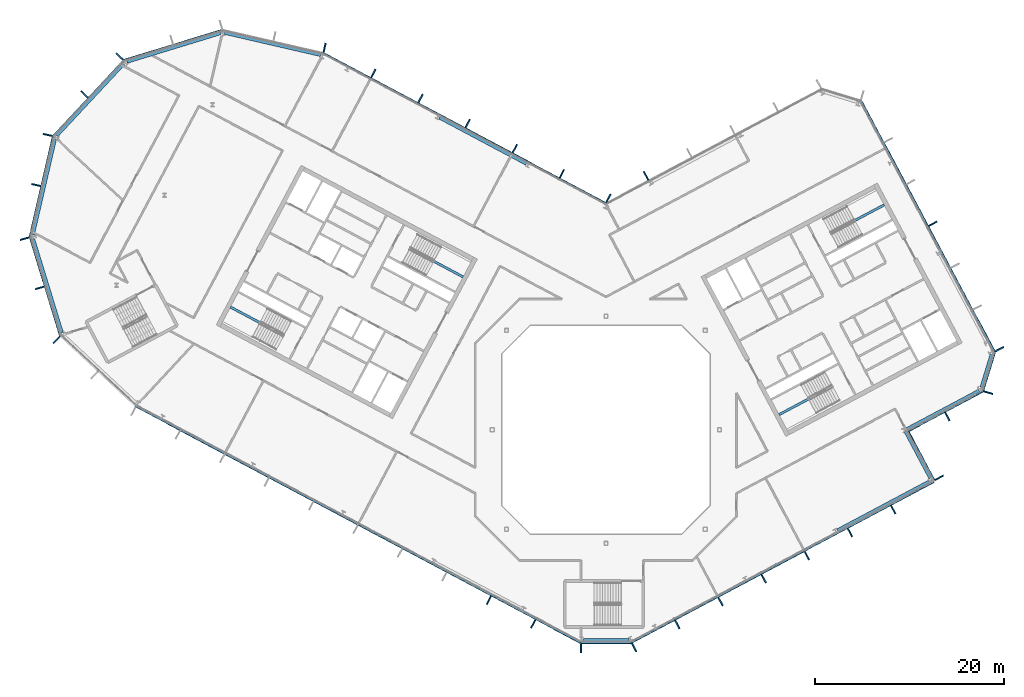
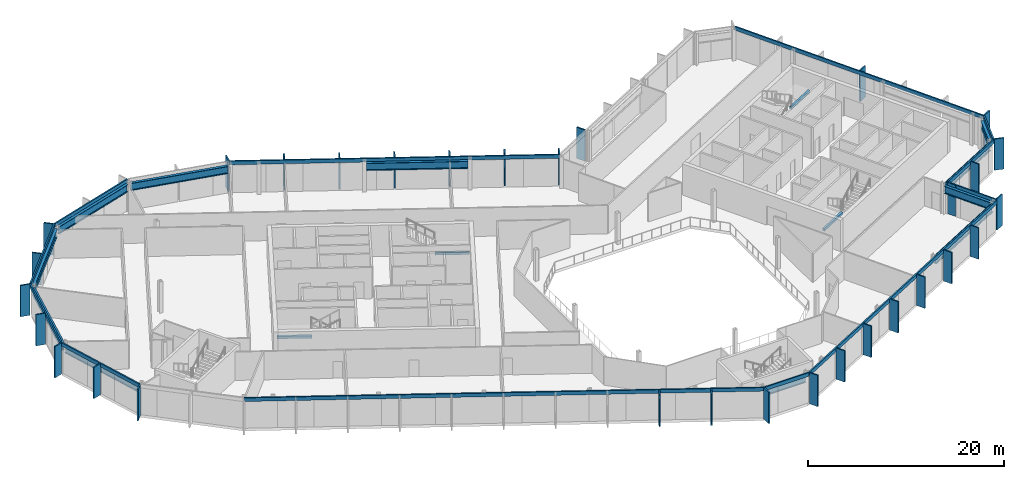
# One storey, part 9 of 26: 43 members, 15 beams, 15 elements without a shape of their own.
"""IFC4 building model written with IfcOpenShell, lengths in metres."""

from ifc_helpers import new_model, si_unit, direction, frame, origin, origin_2d, place, context, subcontext, project, spatial, rectangle, i_section, extrude, material, layer, layer_set, material_profile, profile_set, type_object, element, aggregate, save


model = new_model("IFC4")

# Units and contexts
model_context = context("Model", 3, precision=1e-05, world=origin(), true_north=direction((0.0, 1.0)))
body_context = subcontext(model_context, "Body", "Model", "MODEL_VIEW")
ifc_project = project(units=[si_unit("LENGTHUNIT", "METRE"), si_unit("AREAUNIT", "SQUARE_METRE"), si_unit("VOLUMEUNIT", "CUBIC_METRE"), si_unit("PLANEANGLEUNIT", "RADIAN"), si_unit("MASSUNIT", "GRAM", prefix="KILO")], contexts=[model_context])

# Site, building, storey
site_placement = place(None, origin())
site = spatial("IfcSite", under=ifc_project, at=site_placement, CompositionType="ELEMENT")
building_placement = place(site_placement, origin())
building = spatial("IfcBuilding", under=site, at=building_placement, Name="Cormorant Relay Tower", CompositionType="ELEMENT")
storey_placement = place(building_placement, frame((0.0, 0.0, 304.800048828125)))
storey = spatial("IfcBuildingStorey", under=building, at=storey_placement, Name="L69", CompositionType="ELEMENT", Elevation=304.800048828125)

# Curtain wall, member
ifc_material_1 = material(Name="Aluminium 6063-T6 anodised bronze", Category="aluminium")
ifc_layer = layer(ifc_material_1, 0.199951171875)
ifc_layer_set = layer_set([ifc_layer], Name="CW1 unitised bronze curtain wall with vertical fins")
curtain_wall_type = type_object("IfcCurtainWallType", Name="CW1 unitised bronze curtain wall with vertical fins", PredefinedType="NOTDEFINED", material=ifc_layer_set)
curtain_wall_1_placement = place(storey_placement, origin())
curtain_wall_1 = element("IfcCurtainWall", 1, at=curtain_wall_1_placement, inside=storey, type_object=curtain_wall_type, Name="CW1 curtain wall 1", PredefinedType="NOTDEFINED")
ifc_material_2 = material(Name="Aluminium 6063-T6 anodised bronze", Category="aluminium")
ifc_material_profile_1 = material_profile(ifc_material_2, rectangle(XDim=0.14990234375, YDim=1.0, at=origin_2d()), Name="AL 150x1000")
ifc_profile_set_1 = profile_set([ifc_material_profile_1], Name="Aluminium 6063-T6 anodised bronze")
member_type_1 = type_object("IfcMemberType", Name="CW1 bronze fin mullion 150 x 1000", PredefinedType="MULLION", material=ifc_profile_set_1)
member_1_placement = place(storey_placement, frame((-2.648681640625, -23.07568359375, 0.0), z_axis=(0.0, 0.0, 1.0), x_axis=(1.0, 0.0, 0.0)))
member_1 = element("IfcMember", 2, at=member_1_placement, type_object=member_type_1, Name="CW1 fin 1.1", PredefinedType="MULLION", context=body_context, shape_type="SweptSolid", body=[
    extrude(rectangle(XDim=0.14990234375, YDim=1.0, at=origin_2d()), origin(), (0.0, 0.0, 1.0), 3.89990234375),
])

# Curtain wall, members
curtain_wall_2_placement = place(storey_placement, origin())
curtain_wall_2 = element("IfcCurtainWall", 3, at=curtain_wall_2_placement, inside=storey, type_object=curtain_wall_type, Name="CW1 curtain wall 2", PredefinedType="NOTDEFINED")
member_2_placement = place(storey_placement, frame((2.9775390625, -22.99365234375, 0.0), z_axis=(0.0, 0.0, 1.0), x_axis=(0.882947592859, 0.469471562786, 0.0)))
member_2 = element("IfcMember", 4, at=member_2_placement, type_object=member_type_1, Name="CW1 fin 2.1", PredefinedType="MULLION", context=body_context, shape_type="SweptSolid", body=[
    extrude(rectangle(XDim=0.14990234375, YDim=1.0, at=origin_2d()), origin(), (0.0, 0.0, 1.0), 3.89990234375),
])
member_3_placement = place(storey_placement, frame((7.539306640625, -20.568115234375, 0.0), z_axis=(0.0, 0.0, 1.0), x_axis=(0.882947592859, 0.469471562786, 0.0)))
member_3 = element("IfcMember", 5, at=member_3_placement, type_object=member_type_1, Name="CW1 fin 2.2", PredefinedType="MULLION", context=body_context, shape_type="SweptSolid", body=[
    extrude(rectangle(XDim=0.14990234375, YDim=1.0, at=origin_2d()), origin(), (0.0, 0.0, 1.0), 3.89990234375),
])
member_4_placement = place(storey_placement, frame((12.10107421875, -18.142578125, 0.0), z_axis=(0.0, 0.0, 1.0), x_axis=(0.882947592859, 0.469471562786, 0.0)))
member_4 = element("IfcMember", 6, at=member_4_placement, type_object=member_type_1, Name="CW1 fin 2.3", PredefinedType="MULLION", context=body_context, shape_type="SweptSolid", body=[
    extrude(rectangle(XDim=0.14990234375, YDim=1.0, at=origin_2d()), origin(), (0.0, 0.0, 1.0), 3.89990234375),
])
member_5_placement = place(storey_placement, frame((16.662841796875, -15.717041015625, 0.0), z_axis=(0.0, 0.0, 1.0), x_axis=(0.882947592859, 0.469471562786, 0.0)))
member_5 = element("IfcMember", 7, at=member_5_placement, type_object=member_type_1, Name="CW1 fin 2.4", PredefinedType="MULLION", context=body_context, shape_type="SweptSolid", body=[
    extrude(rectangle(XDim=0.14990234375, YDim=1.0, at=origin_2d()), origin(), (0.0, 0.0, 1.0), 3.89990234375),
])
member_6_placement = place(storey_placement, frame((21.224609375, -13.29150390625, 0.0), z_axis=(0.0, 0.0, 1.0), x_axis=(0.882947592859, 0.469471562786, 0.0)))
member_6 = element("IfcMember", 8, at=member_6_placement, type_object=member_type_1, Name="CW1 fin 2.5", PredefinedType="MULLION", context=body_context, shape_type="SweptSolid", body=[
    extrude(rectangle(XDim=0.14990234375, YDim=1.0, at=origin_2d()), origin(), (0.0, 0.0, 1.0), 3.89990234375),
])
member_7_placement = place(storey_placement, frame((25.78662109375, -10.865966796875, 0.0), z_axis=(0.0, 0.0, 1.0), x_axis=(0.882947592859, 0.469471562786, 0.0)))
member_7 = element("IfcMember", 9, at=member_7_placement, type_object=member_type_1, Name="CW1 fin 2.6", PredefinedType="MULLION", context=body_context, shape_type="SweptSolid", body=[
    extrude(rectangle(XDim=0.14990234375, YDim=1.0, at=origin_2d()), origin(), (0.0, 0.0, 1.0), 3.89990234375),
])
member_8_placement = place(storey_placement, frame((30.348388671875, -8.440185546875, 0.0), z_axis=(0.0, 0.0, 1.0), x_axis=(0.882947592859, 0.469471562786, 0.0)))
member_8 = element("IfcMember", 10, at=member_8_placement, type_object=member_type_1, Name="CW1 fin 2.7", PredefinedType="MULLION", context=body_context, shape_type="SweptSolid", body=[
    extrude(rectangle(XDim=0.14990234375, YDim=1.0, at=origin_2d()), origin(), (0.0, 0.0, 1.0), 3.89990234375),
])

# Curtain wall, member
curtain_wall_3_placement = place(storey_placement, origin())
curtain_wall_3 = element("IfcCurtainWall", 11, at=curtain_wall_3_placement, inside=storey, type_object=curtain_wall_type, Name="CW1 curtain wall 3", PredefinedType="NOTDEFINED")
member_9_placement = place(storey_placement, frame((35.199462890625, -5.068115234375, 0.0), z_axis=(0.0, 0.0, 1.0), x_axis=(-0.469471562786, 0.882947592859, 0.0)))
member_9 = element("IfcMember", 12, at=member_9_placement, type_object=member_type_1, Name="CW1 fin 3.1", PredefinedType="MULLION", context=body_context, shape_type="SweptSolid", body=[
    extrude(rectangle(XDim=0.14990234375, YDim=1.0, at=origin_2d()), origin(), (0.0, 0.0, 1.0), 3.89990234375),
])

# Curtain wall, members
curtain_wall_4_placement = place(storey_placement, origin())
curtain_wall_4 = element("IfcCurtainWall", 13, at=curtain_wall_4_placement, inside=storey, type_object=curtain_wall_type, Name="CW1 curtain wall 4", PredefinedType="NOTDEFINED")
member_10_placement = place(storey_placement, frame((32.159423828125, -0.681884765625, 0.0), z_axis=(0.0, 0.0, 1.0), x_axis=(0.882947592859, 0.469471562786, 0.0)))
member_10 = element("IfcMember", 14, at=member_10_placement, type_object=member_type_1, Name="CW1 fin 4.1", PredefinedType="MULLION", context=body_context, shape_type="SweptSolid", body=[
    extrude(rectangle(XDim=0.14990234375, YDim=1.0, at=origin_2d()), origin(), (0.0, 0.0, 1.0), 3.89990234375),
])
member_11_placement = place(storey_placement, frame((36.06640625, 1.3955078125, 0.0), z_axis=(0.0, 0.0, 1.0), x_axis=(0.882947592859, 0.469471562786, 0.0)))
member_11 = element("IfcMember", 15, at=member_11_placement, type_object=member_type_1, Name="CW1 fin 4.2", PredefinedType="MULLION", context=body_context, shape_type="SweptSolid", body=[
    extrude(rectangle(XDim=0.14990234375, YDim=1.0, at=origin_2d()), origin(), (0.0, 0.0, 1.0), 3.89990234375),
])

# Curtain wall, member
curtain_wall_5_placement = place(storey_placement, origin())
curtain_wall_5 = element("IfcCurtainWall", 16, at=curtain_wall_5_placement, inside=storey, type_object=curtain_wall_type, Name="CW1 curtain wall 5", PredefinedType="NOTDEFINED")
member_12_placement = place(storey_placement, frame((40.380615234375, 3.921630859375, 0.0), z_axis=(0.0, 0.0, 1.0), x_axis=(0.292371704723, 0.956304755963, 0.0)))
member_12 = element("IfcMember", 17, at=member_12_placement, type_object=member_type_1, Name="CW1 fin 5.1", PredefinedType="MULLION", context=body_context, shape_type="SweptSolid", body=[
    extrude(rectangle(XDim=0.14990234375, YDim=1.0, at=origin_2d()), origin(), (0.0, 0.0, 1.0), 3.89990234375),
])

# Curtain wall, members
curtain_wall_6_placement = place(storey_placement, origin())
curtain_wall_6 = element("IfcCurtainWall", 18, at=curtain_wall_6_placement, inside=storey, type_object=curtain_wall_type, Name="CW1 curtain wall 6", PredefinedType="NOTDEFINED")
member_13_placement = place(storey_placement, frame((41.569580078125, 8.51220703125, 0.0), z_axis=(0.0, 0.0, 1.0), x_axis=(-0.469471562786, 0.882947592859, 0.0)))
member_13 = element("IfcMember", 19, at=member_13_placement, type_object=member_type_1, Name="CW1 fin 6.1", PredefinedType="MULLION", context=body_context, shape_type="SweptSolid", body=[
    extrude(rectangle(XDim=0.14990234375, YDim=1.0, at=origin_2d()), origin(), (0.0, 0.0, 1.0), 3.89990234375),
])
member_14_placement = place(storey_placement, frame((34.527587890625, 21.75634765625, 0.0), z_axis=(0.0, 0.0, 1.0), x_axis=(-0.469471562786, 0.882947592859, 0.0)))
member_14 = element("IfcMember", 20, at=member_14_placement, type_object=member_type_1, Name="CW1 fin 6.4", PredefinedType="MULLION", context=body_context, shape_type="SweptSolid", body=[
    extrude(rectangle(XDim=0.14990234375, YDim=1.0, at=origin_2d()), origin(), (0.0, 0.0, 1.0), 3.89990234375),
])

# Curtain wall, member
curtain_wall_7_placement = place(storey_placement, origin())
curtain_wall_7 = element("IfcCurtainWall", 21, at=curtain_wall_7_placement, inside=storey, type_object=curtain_wall_type, Name="CW1 curtain wall 8", PredefinedType="NOTDEFINED")
member_15_placement = place(storey_placement, frame((4.2333984375, 26.82763671875, 0.0), z_axis=(0.0, 0.0, 1.0), x_axis=(-0.882947592859, -0.469471562786, 0.0)))
member_15 = element("IfcMember", 22, at=member_15_placement, type_object=member_type_1, Name="CW1 fin 8.5", PredefinedType="MULLION", context=body_context, shape_type="SweptSolid", body=[
    extrude(rectangle(XDim=0.14990234375, YDim=1.0, at=origin_2d()), origin(), (0.0, 0.0, 1.0), 3.89990234375),
])
aggregate(curtain_wall_7, [member_15])

# Curtain wall, members
curtain_wall_8_placement = place(storey_placement, origin())
curtain_wall_8 = element("IfcCurtainWall", 23, at=curtain_wall_8_placement, inside=storey, type_object=curtain_wall_type, Name="CW1 curtain wall 9", PredefinedType="NOTDEFINED")
member_16_placement = place(storey_placement, frame((0.262451171875, 24.437255859375, 0.0), z_axis=(0.0, 0.0, 1.0), x_axis=(-0.882947592859, 0.469471562786, 0.0)))
member_16 = element("IfcMember", 24, at=member_16_placement, type_object=member_type_1, Name="CW1 fin 9.1", PredefinedType="MULLION", context=body_context, shape_type="SweptSolid", body=[
    extrude(rectangle(XDim=0.14990234375, YDim=1.0, at=origin_2d()), origin(), (0.0, 0.0, 1.0), 3.89990234375),
])
member_17_placement = place(storey_placement, frame((-4.650390625, 27.04931640625, 0.0), z_axis=(0.0, 0.0, 1.0), x_axis=(-0.882947592859, 0.469471562786, 0.0)))
member_17 = element("IfcMember", 25, at=member_17_placement, type_object=member_type_1, Name="CW1 fin 9.2", PredefinedType="MULLION", context=body_context, shape_type="SweptSolid", body=[
    extrude(rectangle(XDim=0.14990234375, YDim=1.0, at=origin_2d()), origin(), (0.0, 0.0, 1.0), 3.89990234375),
])
member_18_placement = place(storey_placement, frame((-9.62939453125, 29.69677734375, 0.0), z_axis=(0.0, 0.0, 1.0), x_axis=(-0.882947592859, 0.469471562786, 0.0)))
member_18 = element("IfcMember", 26, at=member_18_placement, type_object=member_type_1, Name="CW1 fin 9.3", PredefinedType="MULLION", context=body_context, shape_type="SweptSolid", body=[
    extrude(rectangle(XDim=0.14990234375, YDim=1.0, at=origin_2d()), origin(), (0.0, 0.0, 1.0), 3.89990234375),
])
member_19_placement = place(storey_placement, frame((-14.608154296875, 32.343994140625, 0.0), z_axis=(0.0, 0.0, 1.0), x_axis=(-0.882947592859, 0.469471562786, 0.0)))
member_19 = element("IfcMember", 27, at=member_19_placement, type_object=member_type_1, Name="CW1 fin 9.4", PredefinedType="MULLION", context=body_context, shape_type="SweptSolid", body=[
    extrude(rectangle(XDim=0.14990234375, YDim=1.0, at=origin_2d()), origin(), (0.0, 0.0, 1.0), 3.89990234375),
])
member_20_placement = place(storey_placement, frame((-19.587158203125, 34.991455078125, 0.0), z_axis=(0.0, 0.0, 1.0), x_axis=(-0.882947592859, 0.469471562786, 0.0)))
member_20 = element("IfcMember", 28, at=member_20_placement, type_object=member_type_1, Name="CW1 fin 9.5", PredefinedType="MULLION", context=body_context, shape_type="SweptSolid", body=[
    extrude(rectangle(XDim=0.14990234375, YDim=1.0, at=origin_2d()), origin(), (0.0, 0.0, 1.0), 3.89990234375),
])
member_21_placement = place(storey_placement, frame((-24.566162109375, 37.638916015625, 0.0), z_axis=(0.0, 0.0, 1.0), x_axis=(-0.882947592859, 0.469471562786, 0.0)))
member_21 = element("IfcMember", 29, at=member_21_placement, type_object=member_type_1, Name="CW1 fin 9.6", PredefinedType="MULLION", context=body_context, shape_type="SweptSolid", body=[
    extrude(rectangle(XDim=0.14990234375, YDim=1.0, at=origin_2d()), origin(), (0.0, 0.0, 1.0), 3.89990234375),
])

# Curtain wall, member
curtain_wall_9_placement = place(storey_placement, origin())
curtain_wall_9 = element("IfcCurtainWall", 30, at=curtain_wall_9_placement, inside=storey, type_object=curtain_wall_type, Name="CW1 curtain wall 10", PredefinedType="NOTDEFINED")
member_22_placement = place(storey_placement, frame((-29.71630859375, 40.35009765625, 0.0), z_axis=(0.0, 0.0, 1.0), x_axis=(-0.974370064785, 0.224951054344, 0.0)))
member_22 = element("IfcMember", 31, at=member_22_placement, type_object=member_type_1, Name="CW1 fin 10.1", PredefinedType="MULLION", context=body_context, shape_type="SweptSolid", body=[
    extrude(rectangle(XDim=0.14990234375, YDim=1.0, at=origin_2d()), origin(), (0.0, 0.0, 1.0), 3.89990234375),
])
aggregate(curtain_wall_9, [member_22])

# Curtain wall, members
curtain_wall_10_placement = place(storey_placement, origin())
curtain_wall_10 = element("IfcCurtainWall", 32, at=curtain_wall_10_placement, inside=storey, type_object=curtain_wall_type, Name="CW1 curtain wall 12", PredefinedType="NOTDEFINED")
member_23_placement = place(storey_placement, frame((-51.372802734375, 39.41259765625, 0.0), z_axis=(0.0, 0.0, 1.0), x_axis=(-0.681998360062, -0.731353701619, 0.0)))
member_23 = element("IfcMember", 33, at=member_23_placement, type_object=member_type_1, Name="CW1 fin 12.1", PredefinedType="MULLION", context=body_context, shape_type="SweptSolid", body=[
    extrude(rectangle(XDim=0.14990234375, YDim=1.0, at=origin_2d()), origin(), (0.0, 0.0, 1.0), 3.89990234375),
])
member_24_placement = place(storey_placement, frame((-55.07958984375, 35.4375, 0.0), z_axis=(0.0, 0.0, 1.0), x_axis=(-0.681998360062, -0.731353701619, 0.0)))
member_24 = element("IfcMember", 34, at=member_24_placement, type_object=member_type_1, Name="CW1 fin 12.2", PredefinedType="MULLION", context=body_context, shape_type="SweptSolid", body=[
    extrude(rectangle(XDim=0.14990234375, YDim=1.0, at=origin_2d()), origin(), (0.0, 0.0, 1.0), 3.89990234375),
])

curtain_wall_11_placement = place(storey_placement, origin())
curtain_wall_11 = element("IfcCurtainWall", 35, at=curtain_wall_11_placement, inside=storey, type_object=curtain_wall_type, Name="CW1 curtain wall 13", PredefinedType="NOTDEFINED")
member_25_placement = place(storey_placement, frame((-58.95654296875, 31.142578125, 0.0), z_axis=(0.0, 0.0, 1.0), x_axis=(-0.224951054344, -0.974370064785, 0.0)))
member_25 = element("IfcMember", 36, at=member_25_placement, type_object=member_type_1, Name="CW1 fin 13.1", PredefinedType="MULLION", context=body_context, shape_type="SweptSolid", body=[
    extrude(rectangle(XDim=0.14990234375, YDim=1.0, at=origin_2d()), origin(), (0.0, 0.0, 1.0), 3.89990234375),
])
member_26_placement = place(storey_placement, frame((-60.17919921875, 25.8466796875, 0.0), z_axis=(0.0, 0.0, 1.0), x_axis=(-0.224951054344, -0.974370064785, 0.0)))
member_26 = element("IfcMember", 37, at=member_26_placement, type_object=member_type_1, Name="CW1 fin 13.2", PredefinedType="MULLION", context=body_context, shape_type="SweptSolid", body=[
    extrude(rectangle(XDim=0.14990234375, YDim=1.0, at=origin_2d()), origin(), (0.0, 0.0, 1.0), 3.89990234375),
])

curtain_wall_12_placement = place(storey_placement, origin())
curtain_wall_12 = element("IfcCurtainWall", 38, at=curtain_wall_12_placement, inside=storey, type_object=curtain_wall_type, Name="CW1 curtain wall 14", PredefinedType="NOTDEFINED")
member_27_placement = place(storey_placement, frame((-61.389404296875, 20.188720703125, 0.0), z_axis=(0.0, 0.0, 1.0), x_axis=(0.292371704723, -0.956304755963, 0.0)))
member_27 = element("IfcMember", 39, at=member_27_placement, type_object=member_type_1, Name="CW1 fin 14.1", PredefinedType="MULLION", context=body_context, shape_type="SweptSolid", body=[
    extrude(rectangle(XDim=0.14990234375, YDim=1.0, at=origin_2d()), origin(), (0.0, 0.0, 1.0), 3.89990234375),
])
member_28_placement = place(storey_placement, frame((-59.80029296875, 14.990966796875, 0.0), z_axis=(0.0, 0.0, 1.0), x_axis=(0.292371704723, -0.956304755963, 0.0)))
member_28 = element("IfcMember", 40, at=member_28_placement, type_object=member_type_1, Name="CW1 fin 14.2", PredefinedType="MULLION", context=body_context, shape_type="SweptSolid", body=[
    extrude(rectangle(XDim=0.14990234375, YDim=1.0, at=origin_2d()), origin(), (0.0, 0.0, 1.0), 3.89990234375),
])

# Curtain wall, member
curtain_wall_13_placement = place(storey_placement, origin())
curtain_wall_13 = element("IfcCurtainWall", 41, at=curtain_wall_13_placement, inside=storey, type_object=curtain_wall_type, Name="CW1 curtain wall 15", PredefinedType="NOTDEFINED")
member_29_placement = place(storey_placement, frame((-58.01904296875, 9.486083984375, 0.0), z_axis=(0.0, 0.0, 1.0), x_axis=(0.731353701619, -0.681998360062, 0.0)))
member_29 = element("IfcMember", 42, at=member_29_placement, type_object=member_type_1, Name="CW1 fin 15.1", PredefinedType="MULLION", context=body_context, shape_type="SweptSolid", body=[
    extrude(rectangle(XDim=0.14990234375, YDim=1.0, at=origin_2d()), origin(), (0.0, 0.0, 1.0), 3.89990234375),
])
aggregate(curtain_wall_13, [member_29])

# Curtain wall, members
curtain_wall_14_placement = place(storey_placement, origin())
curtain_wall_14 = element("IfcCurtainWall", 43, at=curtain_wall_14_placement, inside=storey, type_object=curtain_wall_type, Name="CW1 curtain wall 16", PredefinedType="NOTDEFINED")
member_30_placement = place(storey_placement, frame((-12.365966796875, -18.001708984375, 0.0), z_axis=(0.0, 0.0, 1.0), x_axis=(0.882947592859, -0.469471562786, 0.0)))
member_30 = element("IfcMember", 44, at=member_30_placement, type_object=member_type_1, Name="CW1 fin 16.9", PredefinedType="MULLION", context=body_context, shape_type="SweptSolid", body=[
    extrude(rectangle(XDim=0.14990234375, YDim=1.0, at=origin_2d()), origin(), (0.0, 0.0, 1.0), 3.89990234375),
])
member_31_placement = place(storey_placement, frame((-7.671630859375, -20.49755859375, 0.0), z_axis=(0.0, 0.0, 1.0), x_axis=(0.882947592859, -0.469471562786, 0.0)))
member_31 = element("IfcMember", 45, at=member_31_placement, type_object=member_type_1, Name="CW1 fin 16.10", PredefinedType="MULLION", context=body_context, shape_type="SweptSolid", body=[
    extrude(rectangle(XDim=0.14990234375, YDim=1.0, at=origin_2d()), origin(), (0.0, 0.0, 1.0), 3.89990234375),
])

# Member
ifc_material_3 = material(Name="Aluminium 6063-T6 anodised bronze", Category="aluminium")
ifc_material_profile_2 = material_profile(ifc_material_3, rectangle(XDim=0.159912109375, YDim=0.449951171875, at=origin_2d()), Name="AL 160x450")
ifc_profile_set_2 = profile_set([ifc_material_profile_2], Name="Aluminium 6063-T6 anodised bronze")
member_type_2 = type_object("IfcMemberType", Name="CW1 bronze transom 160 x 450", PredefinedType="USERDEFINED", material=ifc_profile_set_2)
member_32_placement = place(storey_placement, frame((-2.648681640625, -22.49560546875, 3.675048828125), z_axis=(1.0, 0.0, 0.0), x_axis=(0.0, 1.0, 0.0)))
member_32 = element("IfcMember", 46, at=member_32_placement, type_object=member_type_2, Name="CW1 transom 1", ObjectType="TRANSOM", PredefinedType="USERDEFINED", context=body_context, shape_type="SweptSolid", body=[
    extrude(rectangle(XDim=0.159912109375, YDim=0.449951171875, at=origin_2d()), origin(), (0.0, 0.0, 1.0), 5.29736328125),
])

aggregate(curtain_wall_1, [member_1, member_32])

member_33_placement = place(storey_placement, frame((2.705078125, -22.4814453125, 3.675048828125), z_axis=(0.882948899141, 0.469469106018, 0.0), x_axis=(-0.469469106018, 0.882948899141, 0.0)))
member_33 = element("IfcMember", 47, at=member_33_placement, type_object=member_type_2, Name="CW1 transom 2", ObjectType="TRANSOM", PredefinedType="USERDEFINED", context=body_context, shape_type="SweptSolid", body=[
    extrude(rectangle(XDim=0.159912109375, YDim=0.449951171875, at=origin_2d()), origin(), (0.0, 0.0, 1.0), 36.165771484375),
])

aggregate(curtain_wall_2, [member_2, member_3, member_4, member_5, member_6, member_7, member_8, member_33])

member_34_placement = place(storey_placement, frame((34.6875, -5.34033203125, 3.675048828125), z_axis=(-0.469485426614, 0.882940221191, 0.0), x_axis=(-0.882940221191, -0.469485426614, 0.0)))
member_34 = element("IfcMember", 48, at=member_34_placement, type_object=member_type_2, Name="CW1 transom 3", ObjectType="TRANSOM", PredefinedType="USERDEFINED", context=body_context, shape_type="SweptSolid", body=[
    extrude(rectangle(XDim=0.159912109375, YDim=0.449951171875, at=origin_2d()), origin(), (0.0, 0.0, 1.0), 6.0),
])

aggregate(curtain_wall_3, [member_9, member_34])

member_35_placement = place(storey_placement, frame((31.82080078125, -0.205078125, 3.675048828125), z_axis=(0.882949189538, 0.469468559857, 0.0), x_axis=(-0.469468559857, 0.882949189538, 0.0)))
member_35 = element("IfcMember", 49, at=member_35_placement, type_object=member_type_2, Name="CW1 transom 4", ObjectType="TRANSOM", PredefinedType="USERDEFINED", context=body_context, shape_type="SweptSolid", body=[
    extrude(rectangle(XDim=0.159912109375, YDim=0.449951171875, at=origin_2d()), origin(), (0.0, 0.0, 1.0), 9.000244140625),
])

aggregate(curtain_wall_4, [member_10, member_11, member_35])

member_36_placement = place(storey_placement, frame((39.825927734375, 4.091064453125, 3.675048828125), z_axis=(0.292374957137, 0.956303761594, 0.0), x_axis=(-0.956303761594, 0.292374957137, 0.0)))
member_36 = element("IfcMember", 50, at=member_36_placement, type_object=member_type_2, Name="CW1 transom 5", ObjectType="TRANSOM", PredefinedType="USERDEFINED", context=body_context, shape_type="SweptSolid", body=[
    extrude(rectangle(XDim=0.159912109375, YDim=0.449951171875, at=origin_2d()), origin(), (0.0, 0.0, 1.0), 4.24267578125),
])

aggregate(curtain_wall_5, [member_12, member_36])

member_37_placement = place(storey_placement, frame((41.0576171875, 8.23974609375, 3.675048828125), z_axis=(-0.469472335483, 0.882947182008, 0.0), x_axis=(-0.882947182008, -0.469472335483, 0.0)))
member_37 = element("IfcMember", 51, at=member_37_placement, type_object=member_type_2, Name="CW1 transom 6", ObjectType="TRANSOM", PredefinedType="USERDEFINED", context=body_context, shape_type="SweptSolid", body=[
    extrude(rectangle(XDim=0.159912109375, YDim=0.449951171875, at=origin_2d()), origin(), (0.0, 0.0, 1.0), 30.000244140625),
])

aggregate(curtain_wall_6, [member_13, member_14, member_37])

member_38_placement = place(storey_placement, frame((0.056396484375, 23.889892578125, 3.675048828125), z_axis=(-0.882946280328, 0.46947403129, 0.0), x_axis=(-0.46947403129, -0.882946280328, 0.0)))
member_38 = element("IfcMember", 52, at=member_38_placement, type_object=member_type_2, Name="CW1 transom 9", ObjectType="TRANSOM", PredefinedType="USERDEFINED", context=body_context, shape_type="SweptSolid", body=[
    extrude(rectangle(XDim=0.159912109375, YDim=0.449951171875, at=origin_2d()), origin(), (0.0, 0.0, 1.0), 33.834228515625),
])

aggregate(curtain_wall_8, [member_16, member_17, member_18, member_19, member_20, member_21, member_38])

# Curtain wall, member
curtain_wall_15_placement = place(storey_placement, origin())
curtain_wall_15 = element("IfcCurtainWall", 53, at=curtain_wall_15_placement, inside=storey, type_object=curtain_wall_type, Name="CW1 curtain wall 11", PredefinedType="NOTDEFINED")
member_39_placement = place(storey_placement, frame((-40.50048828125, 42.228271484375, 3.675048828125), z_axis=(-0.956304833932, -0.292371449698, 0.0), x_axis=(0.292371449698, -0.956304833932, 0.0)))
member_39 = element("IfcMember", 54, at=member_39_placement, type_object=member_type_2, Name="CW1 transom 11", ObjectType="TRANSOM", PredefinedType="USERDEFINED", context=body_context, shape_type="SweptSolid", body=[
    extrude(rectangle(XDim=0.159912109375, YDim=0.449951171875, at=origin_2d()), origin(), (0.0, 0.0, 1.0), 10.87060546875),
])
aggregate(curtain_wall_15, [member_39])

# Member
member_40_placement = place(storey_placement, frame((-50.94873046875, 39.01708984375, 3.675048828125), z_axis=(-0.681993299437, -0.731358420696, 0.0), x_axis=(0.731358420696, -0.681993299437, 0.0)))
member_40 = element("IfcMember", 55, at=member_40_placement, type_object=member_type_2, Name="CW1 transom 12", ObjectType="TRANSOM", PredefinedType="USERDEFINED", context=body_context, shape_type="SweptSolid", body=[
    extrude(rectangle(XDim=0.159912109375, YDim=0.449951171875, at=origin_2d()), origin(), (0.0, 0.0, 1.0), 10.870361328125),
])

aggregate(curtain_wall_10, [member_23, member_24, member_40])

member_41_placement = place(storey_placement, frame((-58.3916015625, 31.01220703125, 3.675048828125), z_axis=(-0.22495136131, -0.974369993916, 0.0), x_axis=(0.974369993916, -0.22495136131, 0.0)))
member_41 = element("IfcMember", 56, at=member_41_placement, type_object=member_type_2, Name="CW1 transom 13", ObjectType="TRANSOM", PredefinedType="USERDEFINED", context=body_context, shape_type="SweptSolid", body=[
    extrude(rectangle(XDim=0.159912109375, YDim=0.449951171875, at=origin_2d()), origin(), (0.0, 0.0, 1.0), 10.870361328125),
])

aggregate(curtain_wall_11, [member_25, member_26, member_41])

member_42_placement = place(storey_placement, frame((-60.834716796875, 20.358154296875, 3.675048828125), z_axis=(0.292377729282, -0.95630291405, 0.0), x_axis=(0.95630291405, 0.292377729282, 0.0)))
member_42 = element("IfcMember", 57, at=member_42_placement, type_object=member_type_2, Name="CW1 transom 14", ObjectType="TRANSOM", PredefinedType="USERDEFINED", context=body_context, shape_type="SweptSolid", body=[
    extrude(rectangle(XDim=0.159912109375, YDim=0.449951171875, at=origin_2d()), origin(), (0.0, 0.0, 1.0), 10.870361328125),
])

aggregate(curtain_wall_12, [member_27, member_28, member_42])

member_43_placement = place(storey_placement, frame((-49.64794921875, 2.478515625, 3.675048828125), z_axis=(0.882947642542, -0.469471469346, 0.0), x_axis=(0.469471469346, 0.882947642542, 0.0)))
member_43 = element("IfcMember", 58, at=member_43_placement, type_object=member_type_2, Name="CW1 transom 16", ObjectType="TRANSOM", PredefinedType="USERDEFINED", context=body_context, shape_type="SweptSolid", body=[
    extrude(rectangle(XDim=0.159912109375, YDim=0.449951171875, at=origin_2d()), origin(), (0.0, 0.0, 1.0), 53.166015625),
])

aggregate(curtain_wall_14, [member_30, member_31, member_43])

# Beams
ifc_material_4 = material(Name="Steel ASTM A992 (Fy 345 MPa)", Category="steel")
ifc_material_profile_3 = material_profile(ifc_material_4, i_section(OverallWidth=0.307373046875, OverallDepth=0.927001953125, WebThickness=0.019287109375, FlangeThickness=0.031982421875, FilletRadius=0.01904296875, at=origin_2d()), Name="W920x289")
ifc_profile_set_3 = profile_set([ifc_material_profile_3], Name="Steel ASTM A992 (Fy 345 MPa)")
beam_type_1 = type_object("IfcBeamType", Name="Spandrel W920x289", PredefinedType="SPANDREL", material=ifc_profile_set_3)
beam_1_placement = place(storey_placement, frame((-2.377197265625, -22.221923828125, 3.076416015625), z_axis=(1.0, 0.0, 0.0), x_axis=(0.0, 1.0, 0.0)))
element("IfcBeam", 59, at=beam_1_placement, inside=storey, type_object=beam_type_1, Name="Spandrel beam L69-001", PredefinedType="SPANDREL", context=body_context, shape_type="SweptSolid", body=[
    extrude(i_section(OverallWidth=0.307373046875, OverallDepth=0.927001953125, WebThickness=0.019287109375, FlangeThickness=0.031982421875, FilletRadius=0.01904296875, at=origin_2d()), origin(), (0.0, 0.0, 1.0), 4.79541015625),
])
beam_2_placement = place(storey_placement, frame((24.44287109375, -10.61328125, 3.076416015625), z_axis=(0.882957797597, 0.469452369961, 0.0), x_axis=(-0.469452369961, 0.882957797597, 0.0)))
element("IfcBeam", 60, at=beam_2_placement, inside=storey, type_object=beam_type_1, Name="Spandrel beam L69-002", PredefinedType="SPANDREL", context=body_context, shape_type="SweptSolid", body=[
    extrude(i_section(OverallWidth=0.307373046875, OverallDepth=0.927001953125, WebThickness=0.019287109375, FlangeThickness=0.031982421875, FilletRadius=0.01904296875, at=origin_2d()), origin(), (0.0, 0.0, 1.0), 10.992431640625),
])
beam_3_placement = place(storey_placement, frame((34.254638671875, -5.109619140625, 3.076416015625), z_axis=(-0.469457325339, 0.882955162897, 0.0), x_axis=(-0.882955162897, -0.469457325339, 0.0)))
element("IfcBeam", 61, at=beam_3_placement, inside=storey, type_object=beam_type_1, Name="Spandrel beam L69-003", PredefinedType="SPANDREL", context=body_context, shape_type="SweptSolid", body=[
    extrude(i_section(OverallWidth=0.307373046875, OverallDepth=0.927001953125, WebThickness=0.019287109375, FlangeThickness=0.031982421875, FilletRadius=0.01904296875, at=origin_2d()), origin(), (0.0, 0.0, 1.0), 5.593017578125),
])
beam_4_placement = place(storey_placement, frame((31.6923828125, 0.03662109375, 3.076416015625), z_axis=(0.882943393008, 0.469479461472, 0.0), x_axis=(-0.469479461472, 0.882943393008, 0.0)))
element("IfcBeam", 62, at=beam_4_placement, inside=storey, type_object=beam_type_1, Name="Spandrel beam L69-004", PredefinedType="SPANDREL", context=body_context, shape_type="SweptSolid", body=[
    extrude(i_section(OverallWidth=0.307373046875, OverallDepth=0.927001953125, WebThickness=0.019287109375, FlangeThickness=0.031982421875, FilletRadius=0.01904296875, at=origin_2d()), origin(), (0.0, 0.0, 1.0), 8.734375),
])
beam_5_placement = place(storey_placement, frame((39.6591796875, 4.4814453125, 3.076416015625), z_axis=(0.292323829151, 0.956319391684, 0.0), x_axis=(-0.956319391684, 0.292323829151, 0.0)))
element("IfcBeam", 63, at=beam_5_placement, inside=storey, type_object=beam_type_1, Name="Spandrel beam L69-005", PredefinedType="SPANDREL", context=body_context, shape_type="SweptSolid", body=[
    extrude(i_section(OverallWidth=0.307373046875, OverallDepth=0.927001953125, WebThickness=0.019287109375, FlangeThickness=0.031982421875, FilletRadius=0.01904296875, at=origin_2d()), origin(), (0.0, 0.0, 1.0), 3.652099609375),
])
beam_6_placement = place(storey_placement, frame((-8.401611328125, 28.0771484375, 3.076416015625), z_axis=(-0.882945471565, 0.469475552338, 0.0), x_axis=(-0.469475552338, -0.882945471565, 0.0)))
element("IfcBeam", 64, at=beam_6_placement, inside=storey, type_object=beam_type_1, Name="Spandrel beam L69-009", PredefinedType="SPANDREL", context=body_context, shape_type="SweptSolid", body=[
    extrude(i_section(OverallWidth=0.307373046875, OverallDepth=0.927001953125, WebThickness=0.019287109375, FlangeThickness=0.031982421875, FilletRadius=0.01904296875, at=origin_2d()), origin(), (0.0, 0.0, 1.0), 10.401123046875),
])
beam_7_placement = place(storey_placement, frame((-30.138427734375, 39.571533203125, 3.076416015625), z_axis=(-0.97437021882, 0.224950387145, 0.0), x_axis=(-0.224950387145, -0.97437021882, 0.0)))
element("IfcBeam", 65, at=beam_7_placement, inside=storey, type_object=beam_type_1, Name="Spandrel beam L69-010", PredefinedType="SPANDREL", context=body_context, shape_type="SweptSolid", body=[
    extrude(i_section(OverallWidth=0.307373046875, OverallDepth=0.927001953125, WebThickness=0.019287109375, FlangeThickness=0.031982421875, FilletRadius=0.01904296875, at=origin_2d()), origin(), (0.0, 0.0, 1.0), 10.3984375),
])
beam_8_placement = place(storey_placement, frame((-40.68505859375, 41.8857421875, 3.076416015625), z_axis=(-0.956304903575, -0.292371221906, 0.0), x_axis=(0.292371221906, -0.956304903575, 0.0)))
element("IfcBeam", 66, at=beam_8_placement, inside=storey, type_object=beam_type_1, Name="Spandrel beam L69-011", PredefinedType="SPANDREL", context=body_context, shape_type="SweptSolid", body=[
    extrude(i_section(OverallWidth=0.307373046875, OverallDepth=0.927001953125, WebThickness=0.019287109375, FlangeThickness=0.031982421875, FilletRadius=0.01904296875, at=origin_2d()), origin(), (0.0, 0.0, 1.0), 10.358642578125),
])
beam_9_placement = place(storey_placement, frame((-50.9375, 38.627685546875, 3.076416015625), z_axis=(-0.682009982741, -0.731342863124, 0.0), x_axis=(0.731342863124, -0.682009982741, 0.0)))
element("IfcBeam", 67, at=beam_9_placement, inside=storey, type_object=beam_type_1, Name="Spandrel beam L69-012", PredefinedType="SPANDREL", context=body_context, shape_type="SweptSolid", body=[
    extrude(i_section(OverallWidth=0.307373046875, OverallDepth=0.927001953125, WebThickness=0.019287109375, FlangeThickness=0.031982421875, FilletRadius=0.01904296875, at=origin_2d()), origin(), (0.0, 0.0, 1.0), 10.35791015625),
])
beam_10_placement = place(storey_placement, frame((-58.18701171875, 30.680908203125, 3.076416015625), z_axis=(-0.224955895786, -0.974368947038, 0.0), x_axis=(0.974368947038, -0.224955895786, 0.0)))
element("IfcBeam", 68, at=beam_10_placement, inside=storey, type_object=beam_type_1, Name="Spandrel beam L69-013", PredefinedType="SPANDREL", context=body_context, shape_type="SweptSolid", body=[
    extrude(i_section(OverallWidth=0.307373046875, OverallDepth=0.927001953125, WebThickness=0.019287109375, FlangeThickness=0.031982421875, FilletRadius=0.01904296875, at=origin_2d()), origin(), (0.0, 0.0, 1.0), 10.359130859375),
])
beam_11_placement = place(storey_placement, frame((-60.49169921875, 20.1728515625, 3.076416015625), z_axis=(0.292367651593, -0.95630599512, 0.0), x_axis=(0.95630599512, 0.292367651593, 0.0)))
element("IfcBeam", 69, at=beam_11_placement, inside=storey, type_object=beam_type_1, Name="Spandrel beam L69-014", PredefinedType="SPANDREL", context=body_context, shape_type="SweptSolid", body=[
    extrude(i_section(OverallWidth=0.307373046875, OverallDepth=0.927001953125, WebThickness=0.019287109375, FlangeThickness=0.031982421875, FilletRadius=0.01904296875, at=origin_2d()), origin(), (0.0, 0.0, 1.0), 10.357177734375),
])
ifc_material_5 = material(Name="Concrete 50 MPa", Category="concrete")
ifc_material_profile_4 = material_profile(ifc_material_5, rectangle(XDim=0.25, YDim=0.300048828125, at=origin_2d()), Name="RC 250x300")
ifc_profile_set_4 = profile_set([ifc_material_profile_4], Name="Concrete 50 MPa")
beam_type_2 = type_object("IfcBeamType", Name="Stair landing ledge beam 250x300", PredefinedType="BEAM", material=ifc_profile_set_4)
beam_12_placement = place(storey_placement, frame((-18.219482421875, 17.813720703125, 1.599853515625), z_axis=(0.882950035608, -0.469466968614, 0.0), x_axis=(0.469466968614, 0.882950035608, 0.0)))
element("IfcBeam", 70, at=beam_12_placement, inside=storey, type_object=beam_type_2, Name="A1 landing ledge beam", PredefinedType="BEAM", context=body_context, shape_type="SweptSolid", body=[
    extrude(rectangle(XDim=0.25, YDim=0.300048828125, at=origin_2d()), origin(), (0.0, 0.0, 1.0), 3.5498046875),
])
for number, where, z_axis, x_axis, name in (
    (71, (-36.523193359375, 11.29345703125, 1.599853515625), (-0.88293668587, 0.469492075273, 0.0), (-0.469492075273, -0.88293668587, 0.0), "A2 landing ledge beam"),
    (72, (21.4248046875, 3.265380859375, 1.599853515625), (-0.88296519247, -0.469438461235, 0.0), (0.469438461235, -0.88296519247, 0.0), "B1 landing ledge beam"),
    (73, (26.25439453125, 22.0859375, 1.599853515625), (0.88296519247, 0.469438461235, 0.0), (-0.469438461235, 0.88296519247, 0.0), "B2 landing ledge beam"),
):
    element("IfcBeam", number, at=place(storey_placement, frame(where, z_axis=z_axis, x_axis=x_axis)), inside=storey, type_object=beam_type_2, Name=name, PredefinedType="BEAM", context=body_context, shape_type="SweptSolid", body=[
        extrude(rectangle(XDim=0.25, YDim=0.300048828125, at=origin_2d()), origin(), (0.0, 0.0, 1.0), 3.550048828125),
    ])

save(model, "model.ifc")
